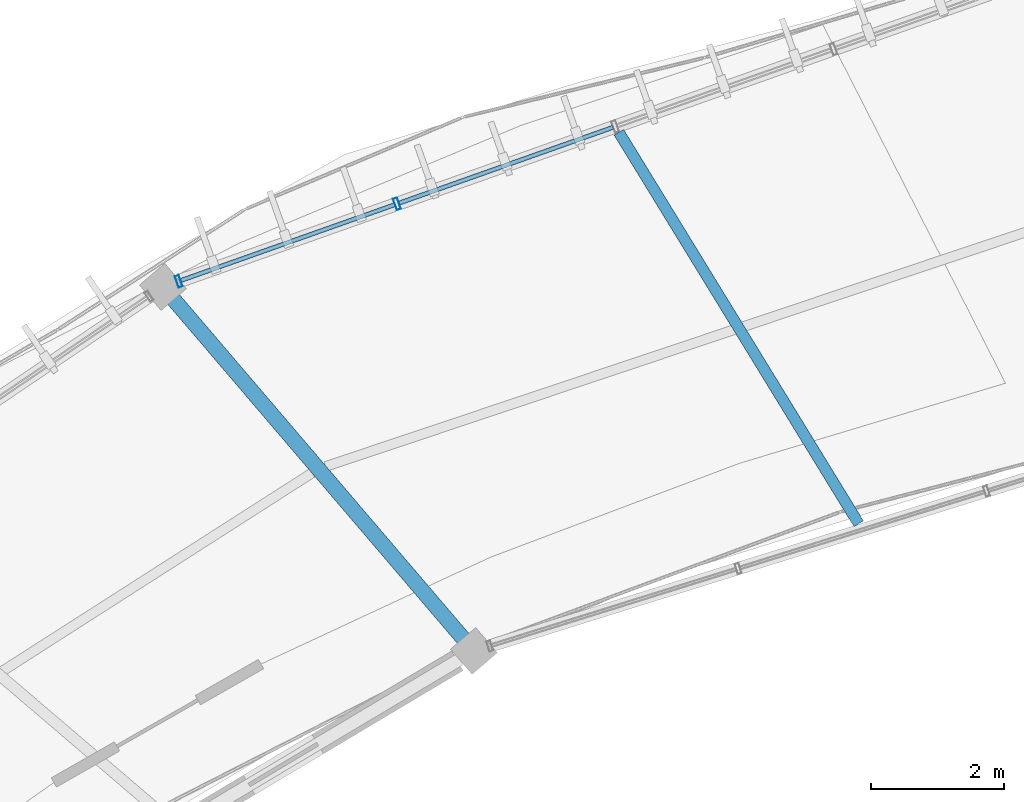
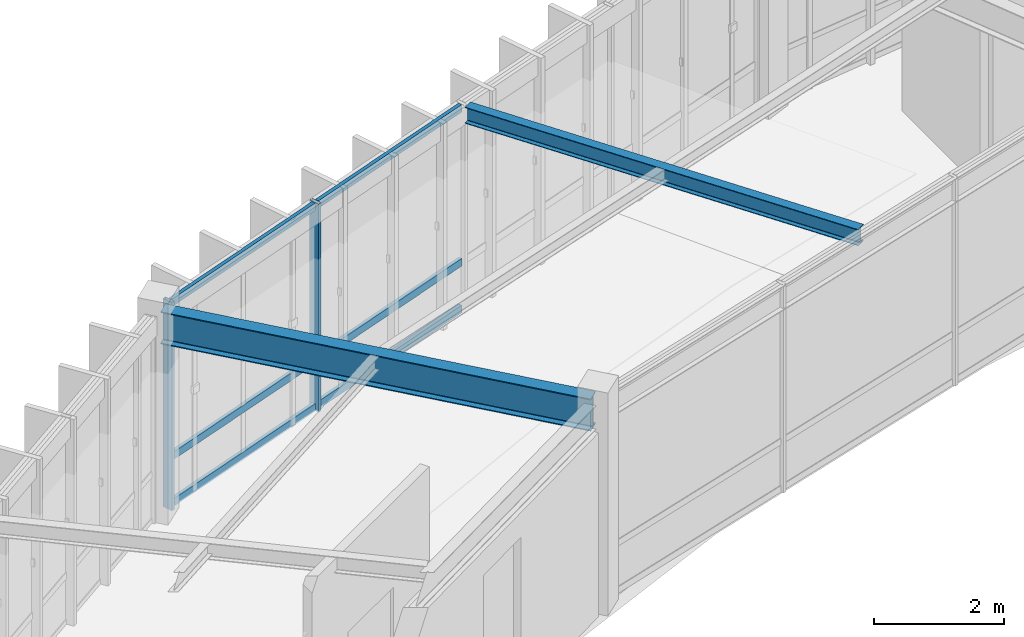
# One storey, part 30 of 78: 8 members, 2 beams, 1 element without a shape of its own.
"""IFC4 building model written with IfcOpenShell, lengths in metres."""

from ifc_helpers import new_model, si_unit, direction, frame, origin, origin_2d, place, context, subcontext, project, spatial, hollow_rectangle, i_section, extrude, material, material_profile, profile_set, type_object, element, aggregate, save


model = new_model("IFC4")

# Units and contexts
model_context = context("Model", 3, precision=1e-05, world=origin(), true_north=direction((0.0, 1.0)))
body_context = subcontext(model_context, "Body", "Model", "MODEL_VIEW")
ifc_project = project(units=[si_unit("LENGTHUNIT", "METRE"), si_unit("AREAUNIT", "SQUARE_METRE"), si_unit("VOLUMEUNIT", "CUBIC_METRE"), si_unit("PLANEANGLEUNIT", "RADIAN"), si_unit("MASSUNIT", "GRAM", prefix="KILO"), si_unit("THERMODYNAMICTEMPERATUREUNIT", "KELVIN"), si_unit("POWERUNIT", "WATT")], contexts=[model_context])

# Site, building, storey
site_placement = place(None, origin())
site = spatial("IfcSite", under=ifc_project, at=site_placement, CompositionType="ELEMENT")
building_placement = place(site_placement, origin())
building = spatial("IfcBuilding", under=site, at=building_placement, Name="Darbajah Civic Hall", CompositionType="ELEMENT")
storey_placement = place(building_placement, frame((0.0, 0.0, 26.39990234375)))
storey = spatial("IfcBuildingStorey", under=building, at=storey_placement, Name="L06", CompositionType="ELEMENT", Elevation=26.39990234375)

# Curtain wall, members
ifc_material_1 = material(Name="Anodised Bronze Aluminium and Low-E Glazing", Category="aluminium")
curtain_wall_type = type_object("IfcCurtainWallType", Name="Unitised Curtain Wall CW-80 13900x3900", PredefinedType="USERDEFINED", material=ifc_material_1)
curtain_wall_placement = place(storey_placement, origin())
curtain_wall = element("IfcCurtainWall", 1, at=curtain_wall_placement, inside=storey, type_object=curtain_wall_type, Name="L06 unitised curtain wall CW-V1O-L06-06", ObjectType="UNITISED CURTAIN WALL", PredefinedType="USERDEFINED")
ifc_material_2 = material(Name="Anodised Bronze Aluminium", Category="aluminium")
ifc_material_profile_1 = material_profile(ifc_material_2, hollow_rectangle(XDim=0.06494140625, YDim=0.179931640625, WallThickness=0.00390625, at=origin_2d()), Name="ALU MULLION 65x180")
ifc_profile_set_1 = profile_set([ifc_material_profile_1], Name="Anodised Bronze Aluminium")
member_type_1 = type_object("IfcMemberType", Name="ALU MULLION 65x180", PredefinedType="MULLION", material=ifc_profile_set_1)
member_1_placement = place(storey_placement, frame((59.498046875, 113.479736328125, 0.0), z_axis=(0.0, 0.0, 1.0), x_axis=(-0.94252491309, -0.334135882844, 0.0)))
member_1 = element("IfcMember", 2, at=member_1_placement, type_object=member_type_1, Name="CW-V1O-L06-06 mullion 4", PredefinedType="MULLION", context=body_context, shape_type="SweptSolid", body=[
    extrude(hollow_rectangle(XDim=0.06494140625, YDim=0.179931640625, WallThickness=0.00390625, at=origin_2d()), origin(), (0.0, 0.0, 1.0), 3.920166015625),
])
member_2_placement = place(storey_placement, frame((56.215576171875, 112.316162109375, 0.0), z_axis=(0.0, 0.0, 1.0), x_axis=(-0.94252491309, -0.334135882844, 0.0)))
member_2 = element("IfcMember", 3, at=member_2_placement, type_object=member_type_1, Name="CW-V1O-L06-06 mullion 5", PredefinedType="MULLION", context=body_context, shape_type="SweptSolid", body=[
    extrude(hollow_rectangle(XDim=0.06494140625, YDim=0.179931640625, WallThickness=0.00390625, at=origin_2d()), origin(), (0.0, 0.0, 1.0), 3.920166015625),
])
ifc_material_profile_2 = material_profile(ifc_material_2, hollow_rectangle(XDim=0.06494140625, YDim=0.139892578125, WallThickness=0.00341796875, at=origin_2d()), Name="ALU TRANSOM 65x140")
ifc_profile_set_2 = profile_set([ifc_material_profile_2], Name="Anodised Bronze Aluminium")
member_type_2 = type_object("IfcMemberType", Name="ALU TRANSOM 65x140", PredefinedType="USERDEFINED", material=ifc_profile_set_2)
member_3_placement = place(storey_placement, frame((62.745361328125, 114.630615234375, 0.070068359375), z_axis=(-0.942546408282, -0.334075243373, 0.0), x_axis=(0.334075243373, -0.942546408282, 0.0)))
member_3 = element("IfcMember", 4, at=member_3_placement, type_object=member_type_2, Name="CW-V1O-L06-06 transom 3.1", ObjectType="TRANSOM", PredefinedType="USERDEFINED", context=body_context, shape_type="SweptSolid", body=[
    extrude(hollow_rectangle(XDim=0.06494140625, YDim=0.139892578125, WallThickness=0.00341796875, at=origin_2d()), origin(), (0.0, 0.0, 1.0), 3.40771484375),
])
member_4_placement = place(storey_placement, frame((62.745361328125, 114.630615234375, 0.9501953125), z_axis=(-0.942546408282, -0.334075243373, 0.0), x_axis=(0.334075243373, -0.942546408282, 0.0)))
member_4 = element("IfcMember", 5, at=member_4_placement, type_object=member_type_2, Name="CW-V1O-L06-06 transom 3.2", ObjectType="TRANSOM", PredefinedType="USERDEFINED", context=body_context, shape_type="SweptSolid", body=[
    extrude(hollow_rectangle(XDim=0.06494140625, YDim=0.139892578125, WallThickness=0.00341796875, at=origin_2d()), origin(), (0.0, 0.0, 1.0), 3.40771484375),
])
member_5_placement = place(storey_placement, frame((62.745361328125, 114.630615234375, 3.85009765625), z_axis=(-0.942546408282, -0.334075243373, 0.0), x_axis=(0.334075243373, -0.942546408282, 0.0)))
member_5 = element("IfcMember", 6, at=member_5_placement, type_object=member_type_2, Name="CW-V1O-L06-06 transom 3.3", ObjectType="TRANSOM", PredefinedType="USERDEFINED", context=body_context, shape_type="SweptSolid", body=[
    extrude(hollow_rectangle(XDim=0.06494140625, YDim=0.139892578125, WallThickness=0.00341796875, at=origin_2d()), origin(), (0.0, 0.0, 1.0), 3.40771484375),
])
member_6_placement = place(storey_placement, frame((59.462890625, 113.46728515625, 0.070068359375), z_axis=(-0.942523847358, -0.33413888903, 0.0), x_axis=(0.33413888903, -0.942523847358, 0.0)))
member_6 = element("IfcMember", 7, at=member_6_placement, type_object=member_type_2, Name="CW-V1O-L06-06 transom 4.1", ObjectType="TRANSOM", PredefinedType="USERDEFINED", context=body_context, shape_type="SweptSolid", body=[
    extrude(hollow_rectangle(XDim=0.06494140625, YDim=0.139892578125, WallThickness=0.00341796875, at=origin_2d()), origin(), (0.0, 0.0, 1.0), 3.40771484375),
])
member_7_placement = place(storey_placement, frame((59.462890625, 113.46728515625, 0.9501953125), z_axis=(-0.942523847358, -0.33413888903, 0.0), x_axis=(0.33413888903, -0.942523847358, 0.0)))
member_7 = element("IfcMember", 8, at=member_7_placement, type_object=member_type_2, Name="CW-V1O-L06-06 transom 4.2", ObjectType="TRANSOM", PredefinedType="USERDEFINED", context=body_context, shape_type="SweptSolid", body=[
    extrude(hollow_rectangle(XDim=0.06494140625, YDim=0.139892578125, WallThickness=0.00341796875, at=origin_2d()), origin(), (0.0, 0.0, 1.0), 3.40771484375),
])
member_8_placement = place(storey_placement, frame((59.462890625, 113.46728515625, 3.85009765625), z_axis=(-0.942523847358, -0.33413888903, 0.0), x_axis=(0.33413888903, -0.942523847358, 0.0)))
member_8 = element("IfcMember", 9, at=member_8_placement, type_object=member_type_2, Name="CW-V1O-L06-06 transom 4.3", ObjectType="TRANSOM", PredefinedType="USERDEFINED", context=body_context, shape_type="SweptSolid", body=[
    extrude(hollow_rectangle(XDim=0.06494140625, YDim=0.139892578125, WallThickness=0.00341796875, at=origin_2d()), origin(), (0.0, 0.0, 1.0), 3.40771484375),
])
aggregate(curtain_wall, [member_1, member_2, member_3, member_4, member_5, member_6, member_7, member_8])

# Beams
ifc_material_3 = material(Name="Steel S355JR", Category="steel")
ifc_material_profile_3 = material_profile(ifc_material_3, i_section(OverallWidth=0.165771484375, OverallDepth=0.306640625, WebThickness=0.006591796875, FlangeThickness=0.01171875, FilletRadius=0.0087890625, at=origin_2d()), Name="UB 305x165x46")
ifc_profile_set_3 = profile_set([ifc_material_profile_3], Name="Steel S355JR")
beam_type_1 = type_object("IfcBeamType", Name="UB 305x165x46", PredefinedType="JOIST", material=ifc_profile_set_3)
beam_1_placement = place(storey_placement, frame((66.44091796875, 108.670166015625, 3.766845703125), z_axis=(-0.522498199588, 0.852640388105, 0.0), x_axis=(-0.852640388105, -0.522498199588, 0.0)))
element("IfcBeam", 10, at=beam_1_placement, inside=storey, type_object=beam_type_1, Name="L06 beam SJ-305", PredefinedType="JOIST", context=body_context, shape_type="SweptSolid", body=[
    extrude(i_section(OverallWidth=0.165771484375, OverallDepth=0.306640625, WebThickness=0.006591796875, FlangeThickness=0.01171875, FilletRadius=0.0087890625, at=origin_2d()), origin(), (0.0, 0.0, 1.0), 6.9033203125),
])
ifc_material_profile_4 = material_profile(ifc_material_3, i_section(OverallWidth=0.228271484375, OverallDepth=0.607666015625, WebThickness=0.010986328125, FlangeThickness=0.017333984375, FilletRadius=0.0126953125, at=origin_2d()), Name="UB 610x229x113")
ifc_profile_set_4 = profile_set([ifc_material_profile_4], Name="Steel S355JR")
beam_type_2 = type_object("IfcBeamType", Name="UB 610x229x113", PredefinedType="BEAM", material=ifc_profile_set_4)
beam_2_placement = place(storey_placement, frame((60.602294921875, 106.81787109375, 3.6162109375), z_axis=(-0.649459534081, 0.760396155692, 0.0), x_axis=(-0.760396155692, -0.649459534081, 0.0)))
element("IfcBeam", 11, at=beam_2_placement, inside=storey, type_object=beam_type_2, Name="L06 beam SB-610", PredefinedType="BEAM", context=body_context, shape_type="SweptSolid", body=[
    extrude(i_section(OverallWidth=0.228271484375, OverallDepth=0.607666015625, WebThickness=0.010986328125, FlangeThickness=0.017333984375, FilletRadius=0.0126953125, at=origin_2d()), origin(), (0.0, 0.0, 1.0), 7.0400390625),
])

save(model, "model.ifc")
